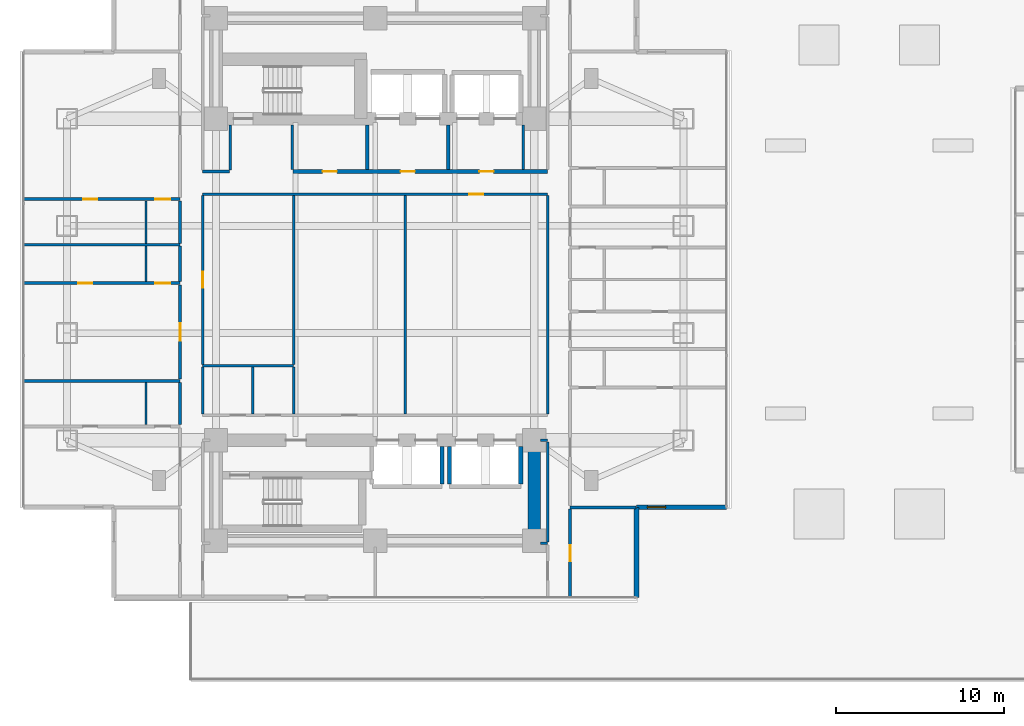
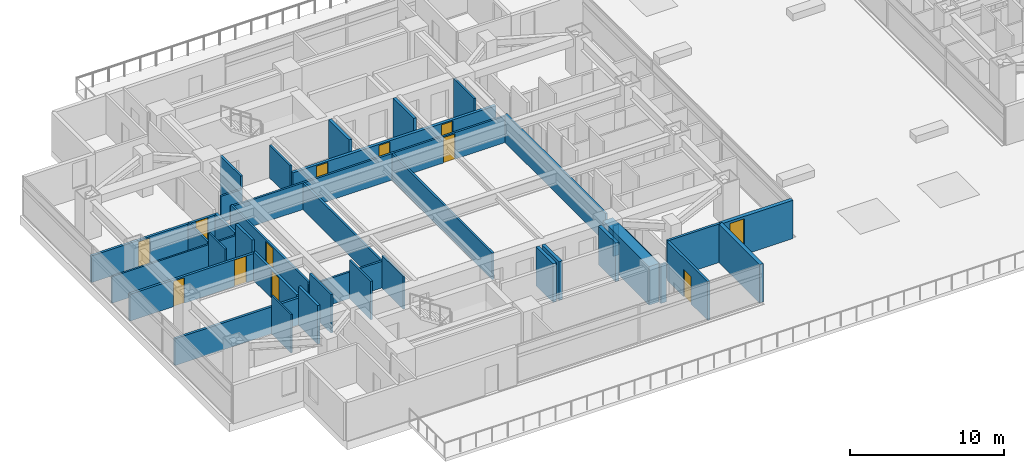
# One storey, part 13 of 26: 38 walls, 11 doors, 1 window, 12 openings.
"""IFC4 building model written with IfcOpenShell, lengths in metres."""

from ifc_helpers import new_model, si_unit, direction, frame, frame_2d, origin, place, context, subcontext, project, spatial, rectangle, extrude, material, layer, layer_set, type_object, element, fill, save


model = new_model("IFC4")

# Units and contexts
model_context = context("Model", 3, precision=1e-05, world=origin(), true_north=direction((0.0, 1.0)))
body_context = subcontext(model_context, "Body", "Model", "MODEL_VIEW")
ifc_project = project(units=[si_unit("LENGTHUNIT", "METRE"), si_unit("AREAUNIT", "SQUARE_METRE"), si_unit("VOLUMEUNIT", "CUBIC_METRE"), si_unit("PLANEANGLEUNIT", "RADIAN"), si_unit("MASSUNIT", "GRAM", prefix="KILO")], contexts=[model_context])

# Site, building, storey
site_placement = place(None, origin())
site = spatial("IfcSite", under=ifc_project, at=site_placement, CompositionType="ELEMENT")
building_placement = place(site_placement, origin())
building = spatial("IfcBuilding", under=site, at=building_placement, Name="Mirazonda Arch Towers", CompositionType="ELEMENT")
storey_placement = place(building_placement, frame((0.0, 0.0, 22.39990234375)))
storey = spatial("IfcBuildingStorey", under=building, at=storey_placement, Name="L05", CompositionType="ELEMENT", Elevation=22.39990234375)

# Wall
ifc_material_1 = material(Name="Concrete C60/75", Category="concrete")
ifc_layer_1 = layer(ifc_material_1, 0.75, Name="WALL-CORE-750")
ifc_layer_set_1 = layer_set([ifc_layer_1], Name="Concrete C60/75")
wall_type_1 = type_object("IfcWallType", Name="WALL-CORE-750", PredefinedType="SHEAR", material=ifc_layer_set_1)
wall_1_placement = place(storey_placement, frame((30.0, 12.39990234375, 0.0), z_axis=(0.0, 0.0, 1.0), x_axis=(0.0, 1.0, 0.0)))
element("IfcWall", 1, at=wall_1_placement, inside=storey, type_object=wall_type_1, Name="L05 T1S-E Core Shear Wall", PredefinedType="SHEAR", context=body_context, shape_type="SweptSolid", body=[
    extrude(rectangle(XDim=6.0, YDim=0.75, at=frame_2d((3.0, 0.0))), origin(), (0.0, 0.0, 1.0), 3.06005859375),
])

# Wall, opening, window
ifc_material_2 = material(Name="Precast Concrete C40/50", Category="concrete")
ifc_layer_2 = layer(ifc_material_2, 0.280029296875, Name="WALL-EXT-WALL-280")
ifc_layer_set_2 = layer_set([ifc_layer_2], Name="Precast Concrete C40/50")
wall_type_2 = type_object("IfcWallType", Name="WALL-EXT-WALL-280", PredefinedType="SOLIDWALL", material=ifc_layer_set_2)
wall_2_placement = place(storey_placement, frame((36.10009765625, 14.39990234375, 0.0), z_axis=(0.0, 0.0, 1.0), x_axis=(1.0, 0.0, 0.0)))
wall_2 = element("IfcWall", 2, at=wall_2_placement, inside=storey, type_object=wall_type_2, Name="L05 T1 Corner Notch Return Wall WL-L05-T1-CSE1", PredefinedType="SOLIDWALL", context=body_context, shape_type="SweptSolid", body=[
    extrude(rectangle(XDim=5.3798828125, YDim=0.280029296875, at=frame_2d((2.68994140625, 0.0))), origin(), (0.0, 0.0, 1.0), 3.0400390625),
])
opening_1_placement = place(wall_2_placement, frame((0.64990234375, 0.0, 0.85009765625)))
opening_1 = element("IfcOpeningElement", 3, at=opening_1_placement, cuts=wall_2, Name="Opening WN-108", PredefinedType="OPENING", context=body_context, shape_type="SweptSolid", body=[
    extrude(rectangle(XDim=1.10009765625, YDim=2.0, at=frame_2d((0.550048828125, 1.0))), frame((0.0, 0.14990234375, 0.0), z_axis=(0.0, -1.0, 0.0), x_axis=(1.0, 0.0, 0.0)), (0.0, 0.0, 1.0), 0.300048828125),
])
ifc_material_3 = material(Name="Insulated Low-E Solar Glass", Category="glass")
window_type = type_object("IfcWindowType", Name="WIN-NOTCH-1100x2000", PartitioningType="SINGLE_PANEL", PredefinedType="WINDOW", material=ifc_material_3)
window_placement = place(opening_1_placement, origin())
window = element("IfcWindow", 4, at=window_placement, inside=storey, type_object=window_type, Name="L05 Punched Facade Window WN-L05-T1-CSE1", OverallHeight=2.0, OverallWidth=1.10009765625, PartitioningType="SINGLE_PANEL", PredefinedType="WINDOW", context=body_context, shape_type="SweptSolid", body=[
    extrude(rectangle(XDim=1.10009765625, YDim=2.0, at=frame_2d((0.550048828125, 1.0))), frame((0.0, 0.030029296875, 0.0), z_axis=(0.0, -1.0, 0.0), x_axis=(1.0, 0.0, 0.0)), (0.0, 0.0, 1.0), 0.06005859375),
])
fill(opening_1, window)

# Wall
wall_3_placement = place(storey_placement, frame((36.10009765625, 9.02001953125, 0.0), z_axis=(0.0, 0.0, 1.0), x_axis=(0.0, 1.0, 0.0)))
element("IfcWall", 5, at=wall_3_placement, inside=storey, type_object=wall_type_2, Name="L05 T1 Corner Notch Return Wall WL-L05-T1-CSE2", PredefinedType="SOLIDWALL", context=body_context, shape_type="SweptSolid", body=[
    extrude(rectangle(XDim=5.3798828125, YDim=0.280029296875, at=frame_2d((2.68994140625, 0.0))), origin(), (0.0, 0.0, 1.0), 3.0400390625),
])

# Wall, openings, doors
ifc_material_4 = material(Name="Concrete C40/50", Category="concrete")
ifc_layer_3 = layer(ifc_material_4, 0.219970703125, Name="WALL-FFL-220")
ifc_layer_set_3 = layer_set([ifc_layer_3], Name="Concrete C40/50")
wall_type_3 = type_object("IfcWallType", Name="WALL-FFL-220", PredefinedType="SOLIDWALL", material=ifc_layer_set_3)
wall_4_placement = place(storey_placement, frame((15.590087890625, 34.449951171875, 0.0), z_axis=(0.0, 0.0, 1.0), x_axis=(1.0, 0.0, 0.0)))
wall_4 = element("IfcWall", 6, at=wall_4_placement, inside=storey, type_object=wall_type_3, Name="L05 Interior Partition 047", PredefinedType="SOLIDWALL", context=body_context, shape_type="SweptSolid", body=[
    extrude(rectangle(XDim=15.2099609375, YDim=0.219970703125, at=frame_2d((7.60498046875, 0.0))), origin(), (0.0, 0.0, 1.0), 2.10400390625),
])
opening_2_placement = place(wall_4_placement, frame((6.43505859375, 0.0, 0.0)))
opening_2 = element("IfcOpeningElement", 7, at=opening_2_placement, cuts=wall_4, Name="Opening DR-128", PredefinedType="OPENING", context=body_context, shape_type="SweptSolid", body=[
    extrude(rectangle(XDim=0.85009765625, YDim=2.010009765625, at=frame_2d((0.425048828125, 1.0048828125))), frame((0.0, 0.119873046875, 0.0), z_axis=(0.0, -1.0, 0.0), x_axis=(1.0, 0.0, 0.0)), (0.0, 0.0, 1.0), 0.239990234375),
])
opening_3_placement = place(wall_4_placement, frame((11.135009765625, 0.0, 0.0)))
opening_3 = element("IfcOpeningElement", 8, at=opening_3_placement, cuts=wall_4, Name="Opening DR-128", PredefinedType="OPENING", context=body_context, shape_type="SweptSolid", body=[
    extrude(rectangle(XDim=0.85009765625, YDim=2.010009765625, at=frame_2d((0.425048828125, 1.0048828125))), frame((0.0, 0.119873046875, 0.0), z_axis=(0.0, -1.0, 0.0), x_axis=(1.0, 0.0, 0.0)), (0.0, 0.0, 1.0), 0.239990234375),
])
opening_4_placement = place(wall_4_placement, frame((1.77490234375, 0.0, 0.0)))
opening_4 = element("IfcOpeningElement", 9, at=opening_4_placement, cuts=wall_4, Name="Opening DR-128", PredefinedType="OPENING", context=body_context, shape_type="SweptSolid", body=[
    extrude(rectangle(XDim=0.85009765625, YDim=2.010009765625, at=frame_2d((0.425048828125, 1.0048828125))), frame((0.0, 0.119873046875, 0.0), z_axis=(0.0, -1.0, 0.0), x_axis=(1.0, 0.0, 0.0)), (0.0, 0.0, 1.0), 0.239990234375),
])
ifc_material_5 = material(Name="Architectural Brushed Steel S355", Category="steel")
door_type_1 = type_object("IfcDoorType", Name="DOOR-RISER-FD60-850", OperationType="NOTDEFINED", PredefinedType="DOOR", material=ifc_material_5)
door_1_placement = place(opening_2_placement, origin())
door_1 = element("IfcDoor", 10, at=door_1_placement, inside=storey, type_object=door_type_1, Name="L05 Firefighting Lift Lobby Door", OperationType="SINGLE_SWING_LEFT", OverallHeight=2.010009765625, OverallWidth=0.85009765625, PredefinedType="DOOR", context=body_context, shape_type="SweptSolid", body=[
    extrude(rectangle(XDim=0.85009765625, YDim=2.010009765625, at=frame_2d((0.425048828125, 1.0048828125))), frame((0.0, 0.02490234375, 0.0), z_axis=(0.0, -1.0, 0.0), x_axis=(1.0, 0.0, 0.0)), (0.0, 0.0, 1.0), 0.050048828125),
])
fill(opening_2, door_1)
door_2_placement = place(opening_3_placement, origin())
door_2 = element("IfcDoor", 11, at=door_2_placement, inside=storey, type_object=door_type_1, Name="L05 Passenger Lift Lobby North Door", OperationType="SINGLE_SWING_RIGHT", OverallHeight=2.010009765625, OverallWidth=0.85009765625, PredefinedType="DOOR", context=body_context, shape_type="SweptSolid", body=[
    extrude(rectangle(XDim=0.85009765625, YDim=2.010009765625, at=frame_2d((0.425048828125, 1.0048828125))), frame((0.0, 0.02490234375, 0.0), z_axis=(0.0, -1.0, 0.0), x_axis=(1.0, 0.0, 0.0)), (0.0, 0.0, 1.0), 0.050048828125),
])
fill(opening_3, door_2)
door_3_placement = place(opening_4_placement, origin())
door_3 = element("IfcDoor", 12, at=door_3_placement, inside=storey, type_object=door_type_1, Name="L05 Housekeeping Linen Room Door", OperationType="SINGLE_SWING_LEFT", OverallHeight=2.010009765625, OverallWidth=0.85009765625, PredefinedType="DOOR", context=body_context, shape_type="SweptSolid", body=[
    extrude(rectangle(XDim=0.85009765625, YDim=2.010009765625, at=frame_2d((0.425048828125, 1.0048828125))), frame((0.0, 0.02490234375, 0.0), z_axis=(0.0, -1.0, 0.0), x_axis=(1.0, 0.0, 0.0)), (0.0, 0.0, 1.0), 0.050048828125),
])
fill(opening_4, door_3)

# Walls
for number, where, z_axis, x_axis, name in (
    (13, (20.02490234375, 34.570068359375, 0.0), (0.0, 0.0, 1.0), (0.0, 1.0, 0.0), "L05 Interior Partition 086"),
    (14, (24.875, 34.570068359375, 0.0), (0.0, 0.0, 1.0), (0.0, 1.0, 0.0), "L05 Interior Partition 095"),
):
    element("IfcWall", number, at=place(storey_placement, frame(where, z_axis=z_axis, x_axis=x_axis)), inside=storey, type_object=wall_type_3, Name=name, PredefinedType="SOLIDWALL", context=body_context, shape_type="SweptSolid", body=[
        extrude(rectangle(XDim=2.659912109375, YDim=0.219970703125, at=frame_2d((1.330078125, 0.0))), origin(), (0.0, 0.0, 1.0), 3.06005859375),
    ])
ifc_material_6 = material(Name="Fire-Rated Gypsum Stud Partition")
ifc_layer_4 = layer(ifc_material_6, 0.14990234375, Name="WALL-PART-CORR-150")
ifc_layer_set_4 = layer_set([ifc_layer_4], Name="Fire-Rated Gypsum Stud Partition")
wall_type_4 = type_object("IfcWallType", Name="WALL-PART-CORR-150", PredefinedType="PARTITIONING", material=ifc_layer_set_4)
wall_5_placement = place(storey_placement, frame((30.3701171875, 12.25, 0.0), z_axis=(0.0, 0.0, 1.0), x_axis=(1.0, 0.0, 0.0)))
element("IfcWall", 15, at=wall_5_placement, inside=storey, type_object=wall_type_4, Name="L05 Interior Partition 002", PredefinedType="PARTITIONING", context=body_context, shape_type="SweptSolid", body=[
    extrude(rectangle(XDim=0.429931640625, YDim=0.14990234375, at=frame_2d((0.21484375, 0.0))), origin(), (0.0, 0.0, 1.0), 3.06005859375),
])
wall_6_placement = place(storey_placement, frame((30.3701171875, 18.39990234375, 0.0), z_axis=(0.0, 0.0, 1.0), x_axis=(1.0, 0.0, 0.0)))
element("IfcWall", 16, at=wall_6_placement, inside=storey, type_object=wall_type_4, Name="L05 Interior Partition 013", PredefinedType="PARTITIONING", context=body_context, shape_type="SweptSolid", body=[
    extrude(rectangle(XDim=0.429931640625, YDim=0.14990234375, at=frame_2d((0.21484375, 0.0))), origin(), (0.0, 0.0, 1.0), 2.43603515625),
])
wall_7_placement = place(storey_placement, frame((10.199951171875, 22.85009765625, 0.0), z_axis=(0.0, 0.0, 1.0), x_axis=(1.0, 0.0, 0.0)))
element("IfcWall", 17, at=wall_7_placement, inside=storey, type_object=wall_type_4, Name="L05 Interior Partition 024", PredefinedType="PARTITIONING", context=body_context, shape_type="SweptSolid", body=[
    extrude(rectangle(XDim=5.43994140625, YDim=0.14990234375, at=frame_2d((2.719970703125, 0.0))), origin(), (0.0, 0.0, 1.0), 2.10400390625),
])

# Wall, opening, door
wall_8_placement = place(storey_placement, frame((10.199951171875, 33.10009765625, 0.0), z_axis=(0.0, 0.0, 1.0), x_axis=(1.0, 0.0, 0.0)))
wall_8 = element("IfcWall", 18, at=wall_8_placement, inside=storey, type_object=wall_type_4, Name="L05 Interior Partition 045", PredefinedType="PARTITIONING", context=body_context, shape_type="SweptSolid", body=[
    extrude(rectangle(XDim=20.60009765625, YDim=0.14990234375, at=frame_2d((10.300048828125, 0.0))), origin(), (0.0, 0.0, 1.0), 2.10400390625),
])
opening_5_placement = place(wall_8_placement, frame((15.909912109375, 0.0, 0.0)))
opening_5 = element("IfcOpeningElement", 19, at=opening_5_placement, cuts=wall_8, Name="Opening DR-128", PredefinedType="OPENING", context=body_context, shape_type="SweptSolid", body=[
    extrude(rectangle(XDim=0.85009765625, YDim=2.010009765625, at=frame_2d((0.425048828125, 1.0048828125))), frame((0.0, 0.0849609375, 0.0), z_axis=(0.0, -1.0, 0.0), x_axis=(1.0, 0.0, 0.0)), (0.0, 0.0, 1.0), 0.169921875),
])
door_4_placement = place(opening_5_placement, origin())
door_4 = element("IfcDoor", 20, at=door_4_placement, inside=storey, type_object=door_type_1, Name="L05 Business Reading Study Door", OperationType="SINGLE_SWING_LEFT", OverallHeight=2.010009765625, OverallWidth=0.85009765625, PredefinedType="DOOR", context=body_context, shape_type="SweptSolid", body=[
    extrude(rectangle(XDim=0.85009765625, YDim=2.010009765625, at=frame_2d((0.425048828125, 1.0048828125))), frame((0.0, 0.02490234375, 0.0), z_axis=(0.0, -1.0, 0.0), x_axis=(1.0, 0.0, 0.0)), (0.0, 0.0, 1.0), 0.050048828125),
])
fill(opening_5, door_4)

# Walls
wall_9_placement = place(storey_placement, frame((10.199951171875, 34.449951171875, 0.0), z_axis=(0.0, 0.0, 1.0), x_axis=(1.0, 0.0, 0.0)))
element("IfcWall", 21, at=wall_9_placement, inside=storey, type_object=wall_type_4, Name="L05 Interior Partition 046", PredefinedType="PARTITIONING", context=body_context, shape_type="SweptSolid", body=[
    extrude(rectangle(XDim=1.60009765625, YDim=0.14990234375, at=frame_2d((0.800048828125, 0.0))), origin(), (0.0, 0.0, 1.0), 2.10400390625),
])
wall_10_placement = place(storey_placement, frame((10.206787109375, 19.985107421875, 0.0), z_axis=(0.0, 0.0, 1.0), x_axis=(0.0, 1.0, 0.0)))
element("IfcWall", 22, at=wall_10_placement, inside=storey, type_object=wall_type_4, Name="L05 Interior Partition 076", PredefinedType="PARTITIONING", context=body_context, shape_type="SweptSolid", body=[
    extrude(rectangle(XDim=2.77978515625, YDim=0.14990234375, at=frame_2d((1.389892578125, 0.0))), origin(), (0.0, 0.0, 1.0), 3.06005859375),
])

# Wall, opening, door
wall_11_placement = place(storey_placement, frame((10.206787109375, 22.93505859375, 0.0), z_axis=(0.0, 0.0, 1.0), x_axis=(0.0, 1.0, 0.0)))
wall_11 = element("IfcWall", 23, at=wall_11_placement, inside=storey, type_object=wall_type_4, Name="L05 Interior Partition 077", PredefinedType="PARTITIONING", context=body_context, shape_type="SweptSolid", body=[
    extrude(rectangle(XDim=10.079833984375, YDim=0.14990234375, at=frame_2d((5.0400390625, 0.0))), origin(), (0.0, 0.0, 1.0), 2.279052734375),
])
opening_6_placement = place(wall_11_placement, frame((4.56494140625, 0.0, 0.0)))
opening_6 = element("IfcOpeningElement", 24, at=opening_6_placement, cuts=wall_11, Name="Opening DR-104", PredefinedType="OPENING", context=body_context, shape_type="SweptSolid", body=[
    extrude(rectangle(XDim=0.949951171875, YDim=2.14990234375, at=frame_2d((0.47509765625, 1.074951171875))), frame((0.0, 0.0849609375, 0.0), z_axis=(0.0, -1.0, 0.0), x_axis=(1.0, 0.0, 0.0)), (0.0, 0.0, 1.0), 0.169921875),
])
door_type_2 = type_object("IfcDoorType", Name="DOOR-ROOM-950", OperationType="NOTDEFINED", PredefinedType="DOOR", material=ifc_material_5)
door_5_placement = place(opening_6_placement, origin())
door_5 = element("IfcDoor", 25, at=door_5_placement, inside=storey, type_object=door_type_2, Name="L05 L05 West Courtyard Salon Door", OperationType="SINGLE_SWING_LEFT", OverallHeight=2.14990234375, OverallWidth=0.949951171875, PredefinedType="DOOR", context=body_context, shape_type="SweptSolid", body=[
    extrude(rectangle(XDim=0.949951171875, YDim=2.14990234375, at=frame_2d((0.47509765625, 1.074951171875))), frame((0.0, 0.02490234375, 0.0), z_axis=(0.0, -1.0, 0.0), x_axis=(1.0, 0.0, 0.0)), (0.0, 0.0, 1.0), 0.050048828125),
])
fill(opening_6, door_5)

# Walls
wall_12_placement = place(storey_placement, frame((11.85009765625, 34.534912109375, 0.0), z_axis=(0.0, 0.0, 1.0), x_axis=(0.0, 1.0, 0.0)))
element("IfcWall", 26, at=wall_12_placement, inside=storey, type_object=wall_type_4, Name="L05 Interior Partition 080", PredefinedType="PARTITIONING", context=body_context, shape_type="SweptSolid", body=[
    extrude(rectangle(XDim=2.695068359375, YDim=0.14990234375, at=frame_2d((1.34765625, 0.0))), origin(), (0.0, 0.0, 1.0), 3.06005859375),
])
wall_13_placement = place(storey_placement, frame((13.199951171875, 19.985107421875, 0.0), z_axis=(0.0, 0.0, 1.0), x_axis=(0.0, 1.0, 0.0)))
element("IfcWall", 27, at=wall_13_placement, inside=storey, type_object=wall_type_4, Name="L05 Interior Partition 081", PredefinedType="PARTITIONING", context=body_context, shape_type="SweptSolid", body=[
    extrude(rectangle(XDim=2.77978515625, YDim=0.14990234375, at=frame_2d((1.389892578125, 0.0))), origin(), (0.0, 0.0, 1.0), 3.06005859375),
])
wall_14_placement = place(storey_placement, frame((15.639892578125, 19.985107421875, 0.0), z_axis=(0.0, 0.0, 1.0), x_axis=(0.0, 1.0, 0.0)))
element("IfcWall", 28, at=wall_14_placement, inside=storey, type_object=wall_type_4, Name="L05 Interior Partition 082", PredefinedType="PARTITIONING", context=body_context, shape_type="SweptSolid", body=[
    extrude(rectangle(XDim=2.77978515625, YDim=0.14990234375, at=frame_2d((1.389892578125, 0.0))), origin(), (0.0, 0.0, 1.0), 2.589111328125),
])
wall_15_placement = place(storey_placement, frame((15.639892578125, 22.93505859375, 0.0), z_axis=(0.0, 0.0, 1.0), x_axis=(0.0, 1.0, 0.0)))
element("IfcWall", 29, at=wall_15_placement, inside=storey, type_object=wall_type_4, Name="L05 Interior Partition 083", PredefinedType="PARTITIONING", context=body_context, shape_type="SweptSolid", body=[
    extrude(rectangle(XDim=10.079833984375, YDim=0.14990234375, at=frame_2d((5.0400390625, 0.0))), origin(), (0.0, 0.0, 1.0), 2.10400390625),
])
wall_16_placement = place(storey_placement, frame((15.550048828125, 34.570068359375, 0.0), z_axis=(0.0, 0.0, 1.0), x_axis=(0.0, 1.0, 0.0)))
element("IfcWall", 30, at=wall_16_placement, inside=storey, type_object=wall_type_4, Name="L05 Interior Partition 084", PredefinedType="PARTITIONING", context=body_context, shape_type="SweptSolid", body=[
    extrude(rectangle(XDim=2.659912109375, YDim=0.14990234375, at=frame_2d((1.330078125, 0.0))), origin(), (0.0, 0.0, 1.0), 2.589111328125),
])
wall_17_placement = place(storey_placement, frame((22.31005859375, 19.985107421875, 0.0), z_axis=(0.0, 0.0, 1.0), x_axis=(0.0, 1.0, 0.0)))
element("IfcWall", 31, at=wall_17_placement, inside=storey, type_object=wall_type_4, Name="L05 Interior Partition 090", PredefinedType="PARTITIONING", context=body_context, shape_type="SweptSolid", body=[
    extrude(rectangle(XDim=13.02978515625, YDim=0.14990234375, at=frame_2d((6.514892578125, 0.0))), origin(), (0.0, 0.0, 1.0), 2.10400390625),
])
wall_18_placement = place(storey_placement, frame((29.35009765625, 34.570068359375, 0.0), z_axis=(0.0, 0.0, 1.0), x_axis=(0.0, 1.0, 0.0)))
element("IfcWall", 32, at=wall_18_placement, inside=storey, type_object=wall_type_4, Name="L05 Interior Partition 098", PredefinedType="PARTITIONING", context=body_context, shape_type="SweptSolid", body=[
    extrude(rectangle(XDim=2.659912109375, YDim=0.14990234375, at=frame_2d((1.330078125, 0.0))), origin(), (0.0, 0.0, 1.0), 3.06005859375),
])
wall_19_placement = place(storey_placement, frame((30.800048828125, 12.3349609375, 0.0), z_axis=(0.0, 0.0, 1.0), x_axis=(0.0, 1.0, 0.0)))
element("IfcWall", 33, at=wall_19_placement, inside=storey, type_object=wall_type_4, Name="L05 Interior Partition 101", PredefinedType="PARTITIONING", context=body_context, shape_type="SweptSolid", body=[
    extrude(rectangle(XDim=5.97998046875, YDim=0.14990234375, at=frame_2d((2.989990234375, 0.0))), origin(), (0.0, 0.0, 1.0), 2.43603515625),
])
wall_20_placement = place(storey_placement, frame((30.800048828125, 19.985107421875, 0.0), z_axis=(0.0, 0.0, 1.0), x_axis=(0.0, 1.0, 0.0)))
element("IfcWall", 34, at=wall_20_placement, inside=storey, type_object=wall_type_4, Name="L05 Interior Partition 102", PredefinedType="PARTITIONING", context=body_context, shape_type="SweptSolid", body=[
    extrude(rectangle(XDim=13.02978515625, YDim=0.14990234375, at=frame_2d((6.514892578125, 0.0))), origin(), (0.0, 0.0, 1.0), 2.279052734375),
])
ifc_material_7 = material(Name="Fire-Rated Gypsum Twin-Stud Assembly")
ifc_layer_5 = layer(ifc_material_7, 0.179931640625, Name="WALL-PART-DEMISE-180")
ifc_layer_set_5 = layer_set([ifc_layer_5], Name="Fire-Rated Gypsum Twin-Stud Assembly")
wall_type_5 = type_object("IfcWallType", Name="WALL-PART-DEMISE-180", PredefinedType="PARTITIONING", material=ifc_layer_set_5)
wall_21_placement = place(storey_placement, frame((32.139892578125, 14.39990234375, 0.0), z_axis=(0.0, 0.0, 1.0), x_axis=(1.0, 0.0, 0.0)))
element("IfcWall", 35, at=wall_21_placement, inside=storey, type_object=wall_type_5, Name="L05 Interior Partition 005", PredefinedType="PARTITIONING", context=body_context, shape_type="SweptSolid", body=[
    extrude(rectangle(XDim=3.940185546875, YDim=0.179931640625, at=frame_2d((1.97021484375, 0.0))), origin(), (0.0, 0.0, 1.0), 3.06005859375),
])
wall_22_placement = place(storey_placement, frame((-0.47998046875, 21.951904296875, 0.0), z_axis=(0.0, 0.0, 1.0), x_axis=(1.0, 0.0, 0.0)))
element("IfcWall", 36, at=wall_22_placement, inside=storey, type_object=wall_type_5, Name="L05 Interior Partition 022", PredefinedType="PARTITIONING", context=body_context, shape_type="SweptSolid", body=[
    extrude(rectangle(XDim=9.340087890625, YDim=0.179931640625, at=frame_2d((4.669921875, 0.0))), origin(), (0.0, 0.0, 1.0), 2.125),
])

# Wall, openings, doors
wall_23_placement = place(storey_placement, frame((-0.47998046875, 27.779052734375, 0.0), z_axis=(0.0, 0.0, 1.0), x_axis=(1.0, 0.0, 0.0)))
wall_23 = element("IfcWall", 37, at=wall_23_placement, inside=storey, type_object=wall_type_5, Name="L05 Interior Partition 033", PredefinedType="PARTITIONING", context=body_context, shape_type="SweptSolid", body=[
    extrude(rectangle(XDim=9.340087890625, YDim=0.179931640625, at=frame_2d((4.669921875, 0.0))), origin(), (0.0, 0.0, 1.0), 2.125),
])
opening_7_placement = place(wall_23_placement, frame((3.2451171875, 0.0, 0.0)))
opening_7 = element("IfcOpeningElement", 38, at=opening_7_placement, cuts=wall_23, Name="Opening DR-128", PredefinedType="OPENING", context=body_context, shape_type="SweptSolid", body=[
    extrude(rectangle(XDim=0.85009765625, YDim=2.010009765625, at=frame_2d((0.425048828125, 1.0048828125))), frame((0.0, 0.099853515625, 0.0), z_axis=(0.0, -1.0, 0.0), x_axis=(1.0, 0.0, 0.0)), (0.0, 0.0, 1.0), 0.199951171875),
])
opening_8_placement = place(wall_23_placement, frame((7.85009765625, 0.0, 0.0)))
opening_8 = element("IfcOpeningElement", 39, at=opening_8_placement, cuts=wall_23, Name="Opening DR-120", PredefinedType="OPENING", context=body_context, shape_type="SweptSolid", body=[
    extrude(rectangle(XDim=0.89990234375, YDim=2.10009765625, at=frame_2d((0.449951171875, 1.050048828125))), frame((0.0, 0.099853515625, 0.0), z_axis=(0.0, -1.0, 0.0), x_axis=(1.0, 0.0, 0.0)), (0.0, 0.0, 1.0), 0.199951171875),
])
door_6_placement = place(opening_7_placement, origin())
door_6 = element("IfcDoor", 40, at=door_6_placement, inside=storey, type_object=door_type_1, Name="L05 Guestroom Study 2 Door", OperationType="SINGLE_SWING_LEFT", OverallHeight=2.010009765625, OverallWidth=0.85009765625, PredefinedType="DOOR", context=body_context, shape_type="SweptSolid", body=[
    extrude(rectangle(XDim=0.85009765625, YDim=2.010009765625, at=frame_2d((0.425048828125, 1.0048828125))), frame((0.0, 0.02490234375, 0.0), z_axis=(0.0, -1.0, 0.0), x_axis=(1.0, 0.0, 0.0)), (0.0, 0.0, 1.0), 0.050048828125),
])
fill(opening_7, door_6)
door_type_3 = type_object("IfcDoorType", Name="DOOR-WC-900", OperationType="NOTDEFINED", PredefinedType="DOOR", material=ifc_material_5)
door_7_placement = place(opening_8_placement, origin())
door_7 = element("IfcDoor", 41, at=door_7_placement, inside=storey, type_object=door_type_3, Name="L05 En-Suite Bathroom 2 Door", OperationType="SINGLE_SWING_RIGHT", OverallHeight=2.10009765625, OverallWidth=0.89990234375, PredefinedType="DOOR", context=body_context, shape_type="SweptSolid", body=[
    extrude(rectangle(XDim=0.89990234375, YDim=2.10009765625, at=frame_2d((0.449951171875, 1.050048828125))), frame((0.0, 0.02490234375, 0.0), z_axis=(0.0, -1.0, 0.0), x_axis=(1.0, 0.0, 0.0)), (0.0, 0.0, 1.0), 0.050048828125),
])
fill(opening_8, door_7)

wall_24_placement = place(storey_placement, frame((-0.47998046875, 32.799072265625, 0.0), z_axis=(0.0, 0.0, 1.0), x_axis=(1.0, 0.0, 0.0)))
wall_24 = element("IfcWall", 42, at=wall_24_placement, inside=storey, type_object=wall_type_5, Name="L05 Interior Partition 044", PredefinedType="PARTITIONING", context=body_context, shape_type="SweptSolid", body=[
    extrude(rectangle(XDim=9.340087890625, YDim=0.179931640625, at=frame_2d((4.669921875, 0.0))), origin(), (0.0, 0.0, 1.0), 2.125),
])
opening_9_placement = place(wall_24_placement, frame((3.544921875, 0.0, 0.0)))
opening_9 = element("IfcOpeningElement", 43, at=opening_9_placement, cuts=wall_24, Name="Opening DR-128", PredefinedType="OPENING", context=body_context, shape_type="SweptSolid", body=[
    extrude(rectangle(XDim=0.85009765625, YDim=2.010009765625, at=frame_2d((0.425048828125, 1.0048828125))), frame((0.0, 0.099853515625, 0.0), z_axis=(0.0, -1.0, 0.0), x_axis=(1.0, 0.0, 0.0)), (0.0, 0.0, 1.0), 0.199951171875),
])
opening_10_placement = place(wall_24_placement, frame((7.85009765625, 0.0, 0.0)))
opening_10 = element("IfcOpeningElement", 44, at=opening_10_placement, cuts=wall_24, Name="Opening DR-120", PredefinedType="OPENING", context=body_context, shape_type="SweptSolid", body=[
    extrude(rectangle(XDim=0.89990234375, YDim=2.10009765625, at=frame_2d((0.449951171875, 1.050048828125))), frame((0.0, 0.099853515625, 0.0), z_axis=(0.0, -1.0, 0.0), x_axis=(1.0, 0.0, 0.0)), (0.0, 0.0, 1.0), 0.199951171875),
])
door_8_placement = place(opening_9_placement, origin())
door_8 = element("IfcDoor", 45, at=door_8_placement, inside=storey, type_object=door_type_1, Name="L05 Suite Bedroom 3 Door", OperationType="SINGLE_SWING_RIGHT", OverallHeight=2.010009765625, OverallWidth=0.85009765625, PredefinedType="DOOR", context=body_context, shape_type="SweptSolid", body=[
    extrude(rectangle(XDim=0.85009765625, YDim=2.010009765625, at=frame_2d((0.425048828125, 1.0048828125))), frame((0.0, 0.02490234375, 0.0), z_axis=(0.0, -1.0, 0.0), x_axis=(1.0, 0.0, 0.0)), (0.0, 0.0, 1.0), 0.050048828125),
])
fill(opening_9, door_8)
door_9_placement = place(opening_10_placement, origin())
door_9 = element("IfcDoor", 46, at=door_9_placement, inside=storey, type_object=door_type_3, Name="L05 Suite En-Suite Bathroom 3 Door", OperationType="SINGLE_SWING_LEFT", OverallHeight=2.10009765625, OverallWidth=0.89990234375, PredefinedType="DOOR", context=body_context, shape_type="SweptSolid", body=[
    extrude(rectangle(XDim=0.89990234375, YDim=2.10009765625, at=frame_2d((0.449951171875, 1.050048828125))), frame((0.0, 0.02490234375, 0.0), z_axis=(0.0, -1.0, 0.0), x_axis=(1.0, 0.0, 0.0)), (0.0, 0.0, 1.0), 0.050048828125),
])
fill(opening_10, door_9)

# Wall
wall_25_placement = place(storey_placement, frame((8.860107421875, 19.33203125, 0.0), z_axis=(0.0, 0.0, 1.0), x_axis=(0.0, 1.0, 0.0)))
element("IfcWall", 47, at=wall_25_placement, inside=storey, type_object=wall_type_5, Name="L05 Interior Partition 068", PredefinedType="PARTITIONING", context=body_context, shape_type="SweptSolid", body=[
    extrude(rectangle(XDim=2.52001953125, YDim=0.179931640625, at=frame_2d((1.260009765625, 0.0))), origin(), (0.0, 0.0, 1.0), 3.06005859375),
])

# Wall, opening, door
wall_26_placement = place(storey_placement, frame((8.860107421875, 22.052001953125, 0.0), z_axis=(0.0, 0.0, 1.0), x_axis=(0.0, 1.0, 0.0)))
wall_26 = element("IfcWall", 48, at=wall_26_placement, inside=storey, type_object=wall_type_5, Name="L05 Interior Partition 069", PredefinedType="PARTITIONING", context=body_context, shape_type="SweptSolid", body=[
    extrude(rectangle(XDim=5.626953125, YDim=0.179931640625, at=frame_2d((2.8134765625, 0.0))), origin(), (0.0, 0.0, 1.0), 2.279052734375),
])
opening_11_placement = place(wall_26_placement, frame((2.28857421875, 0.0, 0.0)))
opening_11 = element("IfcOpeningElement", 49, at=opening_11_placement, cuts=wall_26, Name="Opening DR-121", PredefinedType="OPENING", context=body_context, shape_type="SweptSolid", body=[
    extrude(rectangle(XDim=1.050048828125, YDim=2.199951171875, at=frame_2d((0.52490234375, 1.10009765625))), frame((0.0, 0.099853515625, 0.0), z_axis=(0.0, -1.0, 0.0), x_axis=(1.0, 0.0, 0.0)), (0.0, 0.0, 1.0), 0.199951171875),
])
door_type_4 = type_object("IfcDoorType", Name="DOOR-SUITE-FD60-1050", OperationType="NOTDEFINED", PredefinedType="DOOR", material=ifc_material_5)
door_10_placement = place(opening_11_placement, origin())
door_10 = element("IfcDoor", 50, at=door_10_placement, inside=storey, type_object=door_type_4, Name="L05 Twin Hotel Guestroom 2 Door", OperationType="SINGLE_SWING_RIGHT", OverallHeight=2.199951171875, OverallWidth=1.050048828125, PredefinedType="DOOR", context=body_context, shape_type="SweptSolid", body=[
    extrude(rectangle(XDim=1.050048828125, YDim=2.199951171875, at=frame_2d((0.52490234375, 1.10009765625))), frame((0.0, 0.02490234375, 0.0), z_axis=(0.0, -1.0, 0.0), x_axis=(1.0, 0.0, 0.0)), (0.0, 0.0, 1.0), 0.050048828125),
])
fill(opening_11, door_10)

# Walls
wall_27_placement = place(storey_placement, frame((8.860107421875, 27.87890625, 0.0), z_axis=(0.0, 0.0, 1.0), x_axis=(0.0, 1.0, 0.0)))
element("IfcWall", 51, at=wall_27_placement, inside=storey, type_object=wall_type_5, Name="L05 Interior Partition 070", PredefinedType="PARTITIONING", context=body_context, shape_type="SweptSolid", body=[
    extrude(rectangle(XDim=2.127685546875, YDim=0.179931640625, at=frame_2d((1.06396484375, 0.0))), origin(), (0.0, 0.0, 1.0), 3.06005859375),
])
wall_28_placement = place(storey_placement, frame((8.860107421875, 30.151611328125, 0.0), z_axis=(0.0, 0.0, 1.0), x_axis=(0.0, 1.0, 0.0)))
element("IfcWall", 52, at=wall_28_placement, inside=storey, type_object=wall_type_5, Name="L05 Interior Partition 071", PredefinedType="PARTITIONING", context=body_context, shape_type="SweptSolid", body=[
    extrude(rectangle(XDim=2.54736328125, YDim=0.179931640625, at=frame_2d((1.273681640625, 0.0))), origin(), (0.0, 0.0, 1.0), 2.279052734375),
])

# Wall, opening, door
wall_29_placement = place(storey_placement, frame((32.139892578125, 9.02001953125, 0.0), z_axis=(0.0, 0.0, 1.0), x_axis=(0.0, 1.0, 0.0)))
wall_29 = element("IfcWall", 53, at=wall_29_placement, inside=storey, type_object=wall_type_5, Name="L05 Interior Partition 105", PredefinedType="PARTITIONING", context=body_context, shape_type="SweptSolid", body=[
    extrude(rectangle(XDim=5.280029296875, YDim=0.179931640625, at=frame_2d((2.64013671875, 0.0))), origin(), (0.0, 0.0, 1.0), 3.06005859375),
])
opening_12_placement = place(wall_29_placement, frame((2.1650390625, 0.0, 0.0)))
opening_12 = element("IfcOpeningElement", 54, at=opening_12_placement, cuts=wall_29, Name="Opening DR-104", PredefinedType="OPENING", context=body_context, shape_type="SweptSolid", body=[
    extrude(rectangle(XDim=0.949951171875, YDim=2.14990234375, at=frame_2d((0.47509765625, 1.074951171875))), frame((0.0, 0.099853515625, 0.0), z_axis=(0.0, -1.0, 0.0), x_axis=(1.0, 0.0, 0.0)), (0.0, 0.0, 1.0), 0.199951171875),
])
door_11_placement = place(opening_12_placement, origin())
door_11 = element("IfcDoor", 55, at=door_11_placement, inside=storey, type_object=door_type_2, Name="L05 South Horizon Lounge Alcove East Door", OperationType="SINGLE_SWING_LEFT", OverallHeight=2.14990234375, OverallWidth=0.949951171875, PredefinedType="DOOR", context=body_context, shape_type="SweptSolid", body=[
    extrude(rectangle(XDim=0.949951171875, YDim=2.14990234375, at=frame_2d((0.47509765625, 1.074951171875))), frame((0.0, 0.02490234375, 0.0), z_axis=(0.0, -1.0, 0.0), x_axis=(1.0, 0.0, 0.0)), (0.0, 0.0, 1.0), 0.050048828125),
])
fill(opening_12, door_11)

# Walls
ifc_material_8 = material(Name="Acoustic Fire-Rated Gypsum Partition")
ifc_layer_6 = layer(ifc_material_8, 0.125, Name="WALL-PART-UNIT-125")
ifc_layer_set_6 = layer_set([ifc_layer_6], Name="Acoustic Fire-Rated Gypsum Partition")
wall_type_6 = type_object("IfcWallType", Name="WALL-PART-UNIT-125", PredefinedType="PARTITIONING", material=ifc_layer_set_6)
wall_30_placement = place(storey_placement, frame((-0.47998046875, 30.0791015625, 0.0), z_axis=(0.0, 0.0, 1.0), x_axis=(1.0, 0.0, 0.0)))
element("IfcWall", 56, at=wall_30_placement, inside=storey, type_object=wall_type_6, Name="L05 Interior Partition 038", PredefinedType="PARTITIONING", context=body_context, shape_type="SweptSolid", body=[
    extrude(rectangle(XDim=9.340087890625, YDim=0.125, at=frame_2d((4.669921875, 0.0))), origin(), (0.0, 0.0, 1.0), 2.125),
])
wall_31_placement = place(storey_placement, frame((6.820068359375, 19.33203125, 0.0), z_axis=(0.0, 0.0, 1.0), x_axis=(0.0, 1.0, 0.0)))
element("IfcWall", 57, at=wall_31_placement, inside=storey, type_object=wall_type_6, Name="L05 Interior Partition 063", PredefinedType="PARTITIONING", context=body_context, shape_type="SweptSolid", body=[
    extrude(rectangle(XDim=2.52001953125, YDim=0.125, at=frame_2d((1.260009765625, 0.0))), origin(), (0.0, 0.0, 1.0), 3.06005859375),
])
wall_32_placement = place(storey_placement, frame((6.820068359375, 27.87890625, 0.0), z_axis=(0.0, 0.0, 1.0), x_axis=(0.0, 1.0, 0.0)))
element("IfcWall", 58, at=wall_32_placement, inside=storey, type_object=wall_type_6, Name="L05 Interior Partition 064", PredefinedType="PARTITIONING", context=body_context, shape_type="SweptSolid", body=[
    extrude(rectangle(XDim=2.127685546875, YDim=0.125, at=frame_2d((1.06396484375, 0.0))), origin(), (0.0, 0.0, 1.0), 3.06005859375),
])
wall_33_placement = place(storey_placement, frame((6.820068359375, 30.151611328125, 0.0), z_axis=(0.0, 0.0, 1.0), x_axis=(0.0, 1.0, 0.0)))
element("IfcWall", 59, at=wall_33_placement, inside=storey, type_object=wall_type_6, Name="L05 Interior Partition 065", PredefinedType="PARTITIONING", context=body_context, shape_type="SweptSolid", body=[
    extrude(rectangle(XDim=2.54736328125, YDim=0.125, at=frame_2d((1.273681640625, 0.0))), origin(), (0.0, 0.0, 1.0), 2.279052734375),
])
ifc_layer_7 = layer(ifc_material_4, 0.25, Name="WALL-SHAFT-250")
ifc_layer_set_7 = layer_set([ifc_layer_7], Name="Concrete C40/50")
wall_type_7 = type_object("IfcWallType", Name="WALL-SHAFT-250", PredefinedType="SOLIDWALL", material=ifc_layer_set_7)
for number, where, z_axis, x_axis, name in (
    (60, (24.5, 15.784912109375, 0.0), (0.0, 0.0, 1.0), (0.0, 1.0, 0.0), "L05 Interior Partition 092"),
    (61, (24.949951171875, 15.784912109375, 0.0), (0.0, 0.0, 1.0), (0.0, 1.0, 0.0), "L05 Interior Partition 094"),
    (62, (29.199951171875, 15.784912109375, 0.0), (0.0, 0.0, 1.0), (0.0, 1.0, 0.0), "L05 Interior Partition 097"),
):
    element("IfcWall", number, at=place(storey_placement, frame(where, z_axis=z_axis, x_axis=x_axis)), inside=storey, type_object=wall_type_7, Name=name, PredefinedType="SOLIDWALL", context=body_context, shape_type="SweptSolid", body=[
        extrude(rectangle(XDim=2.2451171875, YDim=0.25, at=frame_2d((1.12255859375, 0.0))), origin(), (0.0, 0.0, 1.0), 3.06005859375),
    ])

save(model, "model.ifc")
